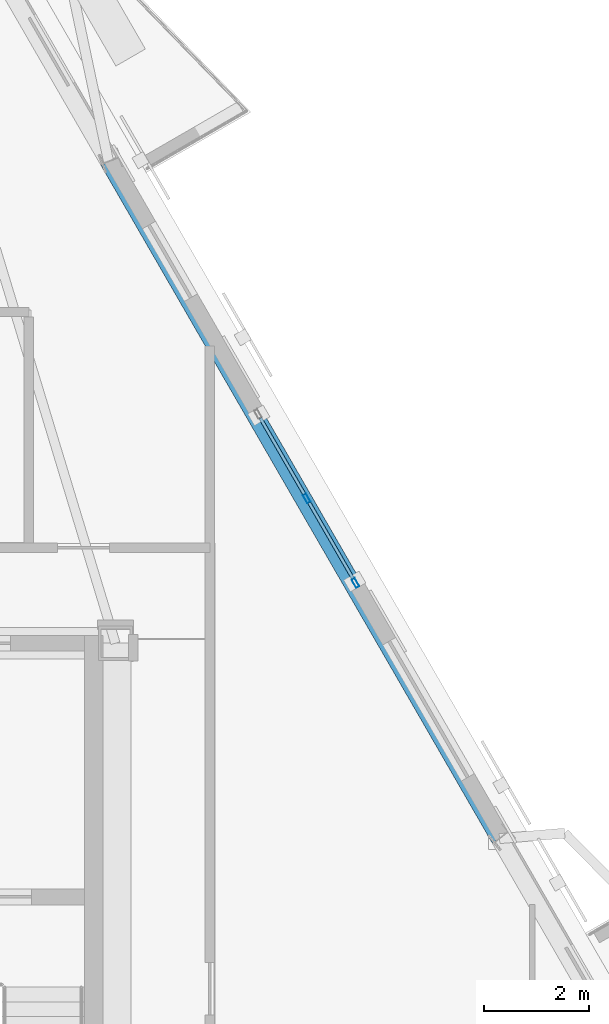
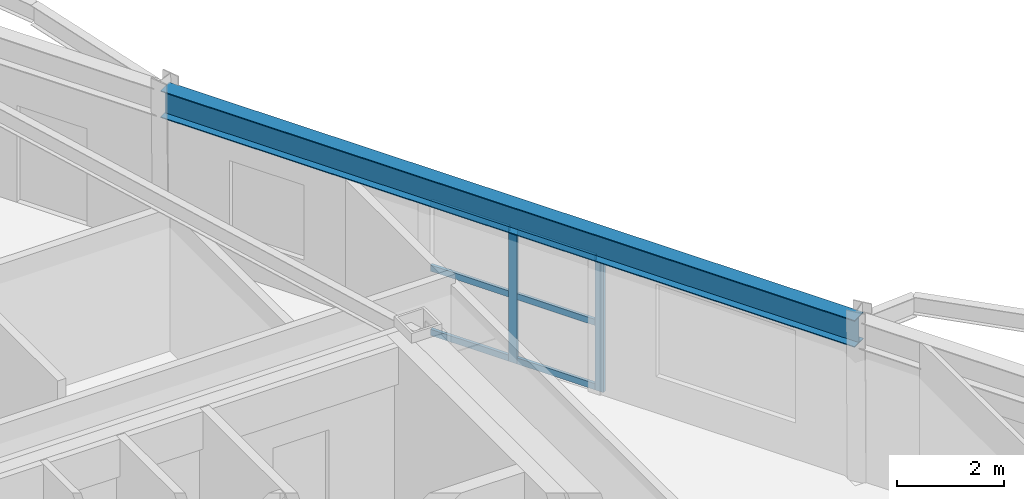
# One storey, part 6 of 15: 8 members, 1 beam, 1 element without a shape of its own.
"""IFC4 building model written with IfcOpenShell, lengths in metres."""

from ifc_helpers import new_model, si_unit, direction, frame, origin, origin_2d, place, context, subcontext, project, spatial, hollow_rectangle, i_section, extrude, material, layer, layer_set, material_profile, profile_set, type_object, element, aggregate, save


model = new_model("IFC4")

# Units and contexts
model_context = context("Model", 3, precision=1e-05, world=origin(), true_north=direction((0.0, 1.0)))
body_context = subcontext(model_context, "Body", "Model", "MODEL_VIEW")
ifc_project = project(units=[si_unit("LENGTHUNIT", "METRE"), si_unit("AREAUNIT", "SQUARE_METRE"), si_unit("VOLUMEUNIT", "CUBIC_METRE"), si_unit("PLANEANGLEUNIT", "RADIAN"), si_unit("MASSUNIT", "GRAM", prefix="KILO")], contexts=[model_context])

# Site, building, storey
site_placement = place(None, origin())
site = spatial("IfcSite", under=ifc_project, at=site_placement, CompositionType="ELEMENT")
building_placement = place(site_placement, origin())
building = spatial("IfcBuilding", under=site, at=building_placement, Name="Oramaril Tower", CompositionType="ELEMENT")
storey_placement = place(building_placement, frame((0.0, 0.0, 265.5)))
storey = spatial("IfcBuildingStorey", under=building, at=storey_placement, Name="L70", CompositionType="ELEMENT", Elevation=265.5)

# Beam
ifc_material_1 = material(Name="Steel ASTM A572 Gr 50", Category="steel")
ifc_material_profile_1 = material_profile(ifc_material_1, i_section(OverallWidth=0.324951171875, OverallDepth=0.612060546875, WebThickness=0.0126953125, FlangeThickness=0.01904296875, at=origin_2d()), Name="W24X104")
ifc_profile_set_1 = profile_set([ifc_material_profile_1], Name="Steel ASTM A572 Gr 50")
beam_type = type_object("IfcBeamType", Name="BT-SP5", PredefinedType="SPANDREL", material=ifc_profile_set_1)
beam_placement = place(storey_placement, frame((52.977294921875, 20.4228515625, 3.3740234375), z_axis=(-0.499990194396, 0.866031064979, 0.0), x_axis=(-0.866031064979, -0.499990194396, 0.0)))
element("IfcBeam", 1, at=beam_placement, inside=storey, type_object=beam_type, Name="L70 Perimeter Spandrel 10", PredefinedType="SPANDREL", context=body_context, shape_type="SweptSolid", body=[
    extrude(i_section(OverallWidth=0.324951171875, OverallDepth=0.612060546875, WebThickness=0.0126953125, FlangeThickness=0.01904296875, at=origin_2d()), origin(), (0.0, 0.0, 1.0), 14.918212890625),
])

# Curtain wall, members
ifc_material_2 = material(Name="Anodised Aluminium 6063-T6", Category="aluminium")
ifc_layer = layer(ifc_material_2, 0.179931640625)
ifc_layer_set = layer_set([ifc_layer], Name="CWT-SYS4")
curtain_wall_type = type_object("IfcCurtainWallType", Name="CWT-SYS4", PredefinedType="NOTDEFINED", material=ifc_layer_set)
curtain_wall_placement = place(storey_placement, origin())
curtain_wall = element("IfcCurtainWall", 2, at=curtain_wall_placement, inside=storey, type_object=curtain_wall_type, Name="L70 Unitised Curtain Wall CW-4", PredefinedType="NOTDEFINED")
ifc_material_3 = material(Name="Anodised Aluminium 6063-T6", Category="aluminium")
ifc_material_profile_2 = material_profile(ifc_material_3, hollow_rectangle(XDim=0.070068359375, YDim=0.179931640625, WallThickness=0.00390625, at=origin_2d()), Name="CWM180X70")
ifc_profile_set_2 = profile_set([ifc_material_profile_2], Name="Anodised Aluminium 6063-T6")
member_type_1 = type_object("IfcMemberType", Name="MT-CWM2", PredefinedType="MULLION", material=ifc_profile_set_2)
member_1_placement = place(storey_placement, frame((50.229736328125, 25.3017578125, 0.0), z_axis=(0.0, 0.0, 1.0), x_axis=(-0.866025463091, -0.499999897278, 0.0)))
member_1 = element("IfcMember", 3, at=member_1_placement, type_object=member_type_1, Name="CW-4 mullion 1", PredefinedType="MULLION", context=body_context, shape_type="SweptSolid", body=[
    extrude(hollow_rectangle(XDim=0.070068359375, YDim=0.179931640625, WallThickness=0.00390625, at=origin_2d()), origin(), (0.0, 0.0, 1.0), 3.05810546875),
])
member_2_placement = place(storey_placement, frame((49.2998046875, 26.91259765625, 0.0), z_axis=(0.0, 0.0, 1.0), x_axis=(-0.866025463091, -0.499999897278, 0.0)))
member_2 = element("IfcMember", 4, at=member_2_placement, type_object=member_type_1, Name="CW-4 mullion 2", PredefinedType="MULLION", context=body_context, shape_type="SweptSolid", body=[
    extrude(hollow_rectangle(XDim=0.070068359375, YDim=0.179931640625, WallThickness=0.00390625, at=origin_2d()), origin(), (0.0, 0.0, 1.0), 3.05810546875),
])
ifc_material_4 = material(Name="Anodised Aluminium 6063-T6", Category="aluminium")
ifc_material_profile_3 = material_profile(ifc_material_4, hollow_rectangle(XDim=0.06494140625, YDim=0.139892578125, WallThickness=0.00390625, at=origin_2d()), Name="CWT140X65")
ifc_profile_set_3 = profile_set([ifc_material_profile_3], Name="Anodised Aluminium 6063-T6")
member_type_2 = type_object("IfcMemberType", Name="MT-CWT2", PredefinedType="USERDEFINED", material=ifc_profile_set_3)
member_3_placement = place(storey_placement, frame((50.184814453125, 25.379638671875, 0.070068359375), z_axis=(-0.499999171277, 0.866025882247, 0.0), x_axis=(-0.866025882247, -0.499999171277, 0.0)))
member_3 = element("IfcMember", 5, at=member_3_placement, type_object=member_type_2, Name="CW-4 transom 1.1", ObjectType="TRANSOM", PredefinedType="USERDEFINED", context=body_context, shape_type="SweptSolid", body=[
    extrude(hollow_rectangle(XDim=0.06494140625, YDim=0.139892578125, WallThickness=0.00390625, at=origin_2d()), origin(), (0.0, 0.0, 1.0), 1.68017578125),
])
member_4_placement = place(storey_placement, frame((50.184814453125, 25.379638671875, 1.529052734375), z_axis=(-0.499999171277, 0.866025882247, 0.0), x_axis=(-0.866025882247, -0.499999171277, 0.0)))
member_4 = element("IfcMember", 6, at=member_4_placement, type_object=member_type_2, Name="CW-4 transom 1.2", ObjectType="TRANSOM", PredefinedType="USERDEFINED", context=body_context, shape_type="SweptSolid", body=[
    extrude(hollow_rectangle(XDim=0.06494140625, YDim=0.139892578125, WallThickness=0.00390625, at=origin_2d()), origin(), (0.0, 0.0, 1.0), 1.68017578125),
])
member_5_placement = place(storey_placement, frame((50.184814453125, 25.379638671875, 2.988037109375), z_axis=(-0.499999171277, 0.866025882247, 0.0), x_axis=(-0.866025882247, -0.499999171277, 0.0)))
member_5 = element("IfcMember", 7, at=member_5_placement, type_object=member_type_2, Name="CW-4 transom 1.3", ObjectType="TRANSOM", PredefinedType="USERDEFINED", context=body_context, shape_type="SweptSolid", body=[
    extrude(hollow_rectangle(XDim=0.06494140625, YDim=0.139892578125, WallThickness=0.00390625, at=origin_2d()), origin(), (0.0, 0.0, 1.0), 1.68017578125),
])
member_6_placement = place(storey_placement, frame((49.2548828125, 26.990478515625, 0.070068359375), z_axis=(-0.500062097304, 0.865989548921, 0.0), x_axis=(-0.865989548921, -0.500062097304, 0.0)))
member_6 = element("IfcMember", 8, at=member_6_placement, type_object=member_type_2, Name="CW-4 transom 2.1", ObjectType="TRANSOM", PredefinedType="USERDEFINED", context=body_context, shape_type="SweptSolid", body=[
    extrude(hollow_rectangle(XDim=0.06494140625, YDim=0.139892578125, WallThickness=0.00390625, at=origin_2d()), origin(), (0.0, 0.0, 1.0), 1.679931640625),
])
member_7_placement = place(storey_placement, frame((49.2548828125, 26.990478515625, 1.529052734375), z_axis=(-0.500062097304, 0.865989548921, 0.0), x_axis=(-0.865989548921, -0.500062097304, 0.0)))
member_7 = element("IfcMember", 9, at=member_7_placement, type_object=member_type_2, Name="CW-4 transom 2.2", ObjectType="TRANSOM", PredefinedType="USERDEFINED", context=body_context, shape_type="SweptSolid", body=[
    extrude(hollow_rectangle(XDim=0.06494140625, YDim=0.139892578125, WallThickness=0.00390625, at=origin_2d()), origin(), (0.0, 0.0, 1.0), 1.679931640625),
])
member_8_placement = place(storey_placement, frame((49.2548828125, 26.990478515625, 2.988037109375), z_axis=(-0.500062097304, 0.865989548921, 0.0), x_axis=(-0.865989548921, -0.500062097304, 0.0)))
member_8 = element("IfcMember", 10, at=member_8_placement, type_object=member_type_2, Name="CW-4 transom 2.3", ObjectType="TRANSOM", PredefinedType="USERDEFINED", context=body_context, shape_type="SweptSolid", body=[
    extrude(hollow_rectangle(XDim=0.06494140625, YDim=0.139892578125, WallThickness=0.00390625, at=origin_2d()), origin(), (0.0, 0.0, 1.0), 1.679931640625),
])
aggregate(curtain_wall, [member_1, member_2, member_3, member_4, member_5, member_6, member_7, member_8])

save(model, "model.ifc")
